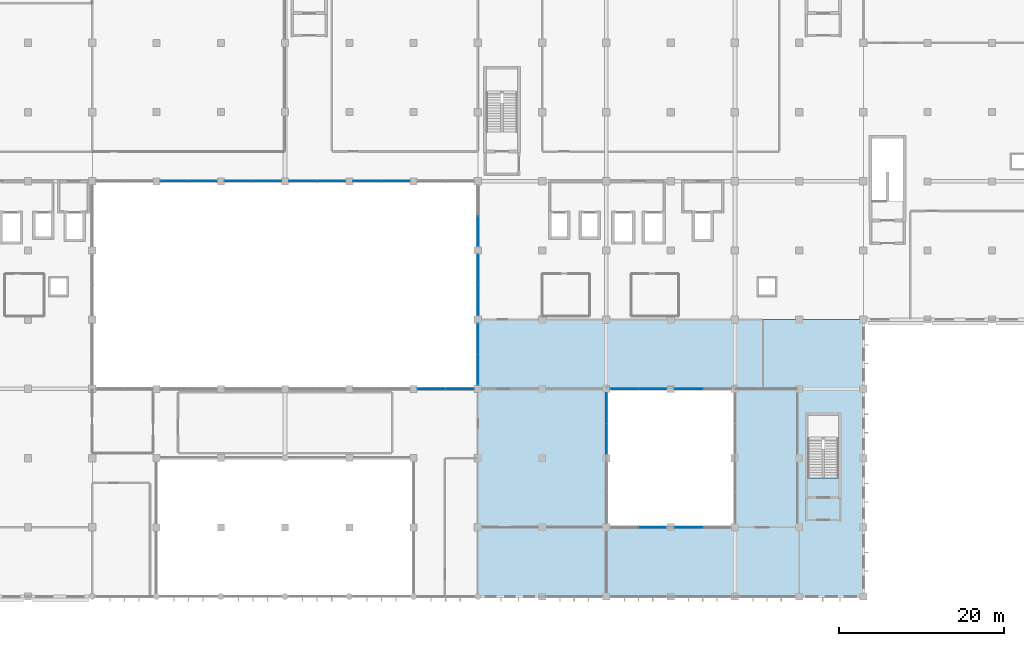
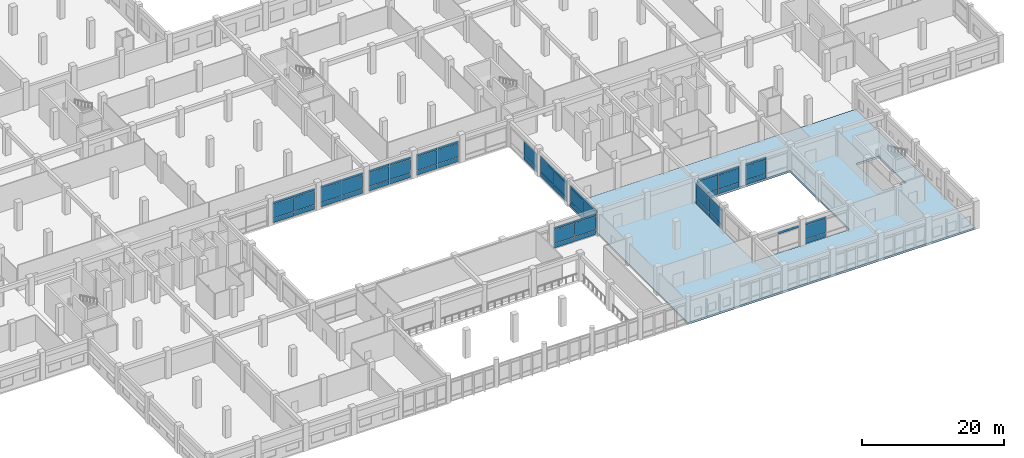
# One storey, part 50 of 79: 63 plates, 1 slab, 13 elements without a shape of their own.
"""IFC4 building model written with IfcOpenShell, lengths in metres."""

import ifcopenshell
import ifcopenshell.guid

model = None  # the IFC model being written
_history = None  # IfcOwnerHistory: only IFC2X3 demands one
_inside = {}  # id of a spatial element -> (the spatial element, [elements in it])
_under = {}  # id of a project, library or spatial element -> (it, [spatial elements below it])
_declared = {}  # id of a project -> (the project, [libraries it declares])
_typed = {}  # id of a type object -> (the type object, [elements of that type])
_made_of = {}  # id of a material, layer set ... -> (it, [elements and type objects made of it])


def new_model(schema):
    """Start an empty IFC model of exactly this schema.

    Asked for "IFC4X3", IfcOpenShell would pick the latest addendum, in which some entities
    have other attributes; the version numbers below select the first issue.
    IFC2X3 requires an IfcOwnerHistory on every rooted entity: one is made here for all.
    """
    global model, _history
    if schema == "IFC4X3":
        model = ifcopenshell.file(schema_version=(4, 3, 0, 0))
    else:
        model = ifcopenshell.file(schema=schema)
    _inside.clear()
    _under.clear()
    _declared.clear()
    _typed.clear()
    _made_of.clear()
    _history = None
    if model.schema == "IFC2X3":
        org = make("IfcOrganization", Name="unknown")
        user = make(
            "IfcPersonAndOrganization",
            ThePerson=make("IfcPerson", FamilyName="unknown"),
            TheOrganization=org,
        )
        app = make(
            "IfcApplication",
            ApplicationDeveloper=org,
            Version="unknown",
            ApplicationFullName="unknown",
            ApplicationIdentifier="unknown",
        )
        _history = make(
            "IfcOwnerHistory",
            OwningUser=user,
            OwningApplication=app,
            ChangeAction="ADDED",
            CreationDate=0,
        )
    return model


def make(cls, **values):
    """One entity of the class cls with the attributes given. An attribute that is None is left unset."""
    return model.create_entity(
        cls, **{name: value for name, value in values.items() if value is not None}
    )


def rooted(cls, **values):
    """An entity with a GlobalId (a new one), such as an element, a storey or a relation."""
    return make(cls, GlobalId=ifcopenshell.guid.new(), OwnerHistory=_history, **values)


def si_unit(unit_type, name, prefix=None):
    """IfcSIUnit, for example si_unit("LENGTHUNIT", "METRE", prefix="MILLI")."""
    return make("IfcSIUnit", UnitType=unit_type, Prefix=prefix, Name=name)


def assignment(units):
    """IfcUnitAssignment: the units of a project."""
    return None if units is None else make("IfcUnitAssignment", Units=units)


def point(xyz):
    """IfcCartesianPoint."""
    return None if xyz is None else make("IfcCartesianPoint", Coordinates=xyz)


def direction(xyz):
    """IfcDirection."""
    return None if xyz is None else make("IfcDirection", DirectionRatios=xyz)


def frame(location, z_axis=None, x_axis=None):
    """IfcAxis2Placement3D, a coordinate frame: its origin and axes. An axis left out is left unset."""
    return make(
        "IfcAxis2Placement3D",
        Location=point(location),
        Axis=direction(z_axis),
        RefDirection=direction(x_axis),
    )


def frame_2d(location, x_axis=None):
    """IfcAxis2Placement2D, a coordinate frame in the plane: its origin and x axis."""
    return make(
        "IfcAxis2Placement2D", Location=point(location), RefDirection=direction(x_axis)
    )


def origin():
    """The frame at (0, 0, 0) with its axes left unset."""
    return frame((0.0, 0.0, 0.0))


def origin_2d():
    """The frame at (0, 0) in the plane with its x axis left unset."""
    return frame_2d((0.0, 0.0))


def place(relative_to, where):
    """IfcLocalPlacement: puts the frame where relative to a parent placement (None: the world)."""
    return make(
        "IfcLocalPlacement", PlacementRelTo=relative_to, RelativePlacement=where
    )


def context(
    kind, dimensions, precision=None, world=None, true_north=None, identifier=None
):
    """IfcGeometricRepresentationContext, for example the 3D "Model" context."""
    return make(
        "IfcGeometricRepresentationContext",
        ContextIdentifier=identifier,
        ContextType=kind,
        CoordinateSpaceDimension=dimensions,
        Precision=precision,
        WorldCoordinateSystem=world,
        TrueNorth=true_north,
    )


def subcontext(parent, identifier, kind, view, scale=None):
    """IfcGeometricRepresentationSubContext, for example "Body" below "Model"."""
    return make(
        "IfcGeometricRepresentationSubContext",
        ContextIdentifier=identifier,
        ContextType=kind,
        ParentContext=parent,
        TargetScale=scale,
        TargetView=view,
    )


def project(units=None, contexts=None):
    """IfcProject with its units and contexts."""
    return rooted(
        "IfcProject",
        Name="project",
        RepresentationContexts=contexts,
        UnitsInContext=assignment(units),
    )


def spatial(cls, under=None, at=None, **own):
    """A site, building, storey or space (cls), placed at a placement, below another one or the project."""
    s = rooted(cls, ObjectPlacement=at, **own)
    if under is not None:
        _under.setdefault(under.id(), (under, []))[1].append(s)
    return s


def polyline(points):
    """IfcPolyline through the points."""
    return make("IfcPolyline", Points=[point(p) for p in points])


def profile(cls, at=None, kind="AREA", **sizes):
    """A parametric profile (cls). Its sizes go by their IFC names, for example OverallWidth=200.0."""
    return make(cls, ProfileType=kind, Position=at, **sizes)


def rectangle(**sizes):
    """IfcRectangleProfileDef."""
    return profile("IfcRectangleProfileDef", **sizes)


def outline(outer, holes=None, kind="AREA"):
    """IfcArbitraryClosedProfileDef: a profile drawn as a closed curve; with holes, ...WithVoids."""
    if holes is None:
        return make("IfcArbitraryClosedProfileDef", ProfileType=kind, OuterCurve=outer)
    return make(
        "IfcArbitraryProfileDefWithVoids",
        ProfileType=kind,
        OuterCurve=outer,
        InnerCurves=holes,
    )


def extrude(swept, where, along, depth):
    """IfcExtrudedAreaSolid: the profile swept, set in the frame where, extruded along a direction by depth."""
    return make(
        "IfcExtrudedAreaSolid",
        SweptArea=swept,
        Position=where,
        ExtrudedDirection=direction(along),
        Depth=depth,
    )


def shape(context_of_items, identifier, shape_type, items):
    """IfcShapeRepresentation: the items that make up one representation, for example the "Body"."""
    return make(
        "IfcShapeRepresentation",
        ContextOfItems=context_of_items,
        RepresentationIdentifier=identifier,
        RepresentationType=shape_type,
        Items=items,
    )


def material(Name=None, Category=None):
    """IfcMaterial."""
    return make("IfcMaterial", Name=Name, Category=Category)


def layer(
    of_material, thickness, ventilated=None, Name=None, Category=None, Priority=None
):
    """IfcMaterialLayer: one layer of a wall or slab, of a material (None: an air gap)."""
    return make(
        "IfcMaterialLayer",
        Material=of_material,
        LayerThickness=thickness,
        IsVentilated=ventilated,
        Name=Name,
        Category=Category,
        Priority=Priority,
    )


def layer_set(layers, Name=None):
    """IfcMaterialLayerSet."""
    return make("IfcMaterialLayerSet", MaterialLayers=layers, LayerSetName=Name)


def made_of(thing, what):
    """Note that an element or type object is made of a material, layer set ...; save() writes the relation."""
    if what is not None:
        _made_of.setdefault(what.id(), (what, []))[1].append(thing)
    return thing


def type_object(cls, material=None, **own):
    """A type object (cls), such as IfcWallType, which elements share."""
    return made_of(rooted(cls, **own), material)


def element(
    cls,
    number,
    at=None,
    inside=None,
    cuts=None,
    type_object=None,
    material=None,
    context=None,
    identifier="Body",
    shape_type=None,
    held_by="IfcProductDefinitionShape",
    body=None,
    shapes=None,
    **own,
):
    """One element of the class cls, such as IfcWall. Its Tag is "e" and its number.

    at: its placement. inside: the storey or other place that contains it. cuts: it is an
    opening in that element (IfcRelVoidsElement). A single representation is given by context,
    identifier, shape_type and body (its items); several are given by shapes. held_by: the class
    of the entity that holds the representations. save() writes the other relations.
    """
    e = rooted(cls, Tag="e%d" % number, ObjectPlacement=at, **own)
    if body is not None:
        shapes = [shape(context, identifier, shape_type, body)]
    if shapes is not None:
        e.Representation = make(held_by, Representations=shapes)
    if inside is not None:
        _inside.setdefault(inside.id(), (inside, []))[1].append(e)
    if cuts is not None:
        rooted(
            "IfcRelVoidsElement", RelatingBuildingElement=cuts, RelatedOpeningElement=e
        )
    if type_object is not None:
        _typed.setdefault(type_object.id(), (type_object, []))[1].append(e)
    return made_of(e, material)


def aggregate(whole, parts):
    """IfcRelAggregates: a whole, such as a stair, and the parts it consists of."""
    return rooted("IfcRelAggregates", RelatingObject=whole, RelatedObjects=parts)


def save(model, path):
    """Write the relations noted so far, then the file.

    IfcRelAggregates (storeys below a building ...), IfcRelContainedInSpatialStructure (elements
    in a storey), IfcRelDefinesByType, IfcRelAssociatesMaterial and IfcRelDeclares: one each for
    every whole, place, type object, material and project.
    """
    for whole, parts in _under.values():
        aggregate(whole, parts)
    for where, things in _inside.values():
        rooted(
            "IfcRelContainedInSpatialStructure",
            RelatedElements=things,
            RelatingStructure=where,
        )
    for kind, things in _typed.values():
        rooted("IfcRelDefinesByType", RelatedObjects=things, RelatingType=kind)
    for what, things in _made_of.values():
        rooted("IfcRelAssociatesMaterial", RelatedObjects=things, RelatingMaterial=what)
    for by, libraries in _declared.values():
        rooted("IfcRelDeclares", RelatingContext=by, RelatedDefinitions=libraries)
    model.write(path)


model = new_model("IFC4")

# Units and contexts
model_context = context("Model", 3, precision=1e-05, world=origin(), true_north=direction((0.0, 1.0)))
body_context = subcontext(model_context, "Body", "Model", "MODEL_VIEW")
ifc_project = project(units=[si_unit("LENGTHUNIT", "METRE"), si_unit("AREAUNIT", "SQUARE_METRE"), si_unit("VOLUMEUNIT", "CUBIC_METRE"), si_unit("PLANEANGLEUNIT", "RADIAN"), si_unit("MASSUNIT", "GRAM", prefix="KILO"), si_unit("THERMODYNAMICTEMPERATUREUNIT", "KELVIN"), si_unit("POWERUNIT", "WATT")], contexts=[model_context])

# Site, building, storey
site_placement = place(None, origin())
site = spatial("IfcSite", under=ifc_project, at=site_placement, CompositionType="ELEMENT")
building_placement = place(site_placement, origin())
building = spatial("IfcBuilding", under=site, at=building_placement, Name="Srebrne Nadtorze General Hospital", CompositionType="ELEMENT")
storey_placement = place(building_placement, frame((0.0, 0.0, 4.800048828125)))
storey = spatial("IfcBuildingStorey", under=building, at=storey_placement, Name="L01", CompositionType="ELEMENT", Elevation=4.800048828125)

# Curtain wall, plate
ifc_material_1 = material(Name="Anodised Aluminium", Category="aluminium")
curtain_wall_type_1 = type_object("IfcCurtainWallType", Name="Unitised curtain wall 6900x3750", PredefinedType="NOTDEFINED", material=ifc_material_1)
curtain_wall_1_placement = place(storey_placement, origin())
curtain_wall_1 = element("IfcCurtainWall", 1, at=curtain_wall_1_placement, inside=storey, type_object=curtain_wall_type_1, Name="Curtain wall CW-040", PredefinedType="NOTDEFINED")
ifc_material_2 = material(Name="Triple Low-E Glazing", Category="glass")
ifc_layer_1 = layer(ifc_material_2, 0.050048828125)
ifc_layer_set_1 = layer_set([ifc_layer_1], Name="Triple Low-E Glazing")
plate_type = type_object("IfcPlateType", Name="Glazed curtain panel 50", PredefinedType="CURTAIN_PANEL", material=ifc_layer_set_1)
plate_1_placement = place(storey_placement, frame((122.610107421875, 8.39990234375, 3.27978515625), z_axis=(0.0, 0.0, 1.0), x_axis=(1.0, 0.0, 0.0)))
plate_1 = element("IfcPlate", 2, at=plate_1_placement, type_object=plate_type, Name="CW-040 panel 2.3", PredefinedType="CURTAIN_PANEL", context=body_context, shape_type="SweptSolid", body=[
    extrude(rectangle(XDim=3.360107421875, YDim=0.050048828125, at=origin_2d()), origin(), (0.0, 0.0, 1.0), 0.409912109375),
])
aggregate(curtain_wall_1, [plate_1])

# Curtain wall, plates
curtain_wall_2_placement = place(storey_placement, origin())
curtain_wall_2 = element("IfcCurtainWall", 3, at=curtain_wall_2_placement, inside=storey, type_object=curtain_wall_type_1, Name="Curtain wall CW-041", PredefinedType="NOTDEFINED")
plate_2_placement = place(storey_placement, frame((126.9912109375, 8.39990234375, 0.06494140625), z_axis=(0.0, 0.0, 1.0), x_axis=(1.0, 0.0, 0.0)))
plate_2 = element("IfcPlate", 4, at=plate_2_placement, type_object=plate_type, Name="CW-041 panel 1.1", PredefinedType="CURTAIN_PANEL", context=body_context, shape_type="SweptSolid", body=[
    extrude(rectangle(XDim=3.3525390625, YDim=0.050048828125, at=origin_2d()), origin(), (0.0, 0.0, 1.0), 0.75244140625),
])
plate_3_placement = place(storey_placement, frame((126.9912109375, 8.39990234375, 0.882568359375), z_axis=(0.0, 0.0, 1.0), x_axis=(1.0, 0.0, 0.0)))
plate_3 = element("IfcPlate", 5, at=plate_3_placement, type_object=plate_type, Name="CW-041 panel 1.2", PredefinedType="CURTAIN_PANEL", context=body_context, shape_type="SweptSolid", body=[
    extrude(rectangle(XDim=3.3525390625, YDim=0.050048828125, at=origin_2d()), origin(), (0.0, 0.0, 1.0), 2.3349609375),
])
plate_4_placement = place(storey_placement, frame((126.9912109375, 8.39990234375, 3.2822265625), z_axis=(0.0, 0.0, 1.0), x_axis=(1.0, 0.0, 0.0)))
plate_4 = element("IfcPlate", 6, at=plate_4_placement, type_object=plate_type, Name="CW-041 panel 1.3", PredefinedType="CURTAIN_PANEL", context=body_context, shape_type="SweptSolid", body=[
    extrude(rectangle(XDim=3.3525390625, YDim=0.050048828125, at=origin_2d()), origin(), (0.0, 0.0, 1.0), 0.402587890625),
])
aggregate(curtain_wall_2, [plate_2, plate_3, plate_4])

ifc_material_3 = material(Name="Anodised Aluminium", Category="aluminium")
curtain_wall_type_2 = type_object("IfcCurtainWallType", Name="Unitised curtain wall 6925x3750", PredefinedType="NOTDEFINED", material=ifc_material_3)
curtain_wall_3_placement = place(storey_placement, origin())
curtain_wall_3 = element("IfcCurtainWall", 7, at=curtain_wall_3_placement, inside=storey, type_object=curtain_wall_type_2, Name="Curtain wall CW-047", PredefinedType="NOTDEFINED")
plate_5_placement = place(storey_placement, frame((95.7724609375, 25.199951171875, 0.06494140625), z_axis=(0.0, 0.0, 1.0), x_axis=(1.0, 0.0, 0.0)))
plate_5 = element("IfcPlate", 8, at=plate_5_placement, type_object=plate_type, Name="CW-047 panel 1.1", PredefinedType="CURTAIN_PANEL", context=body_context, shape_type="SweptSolid", body=[
    extrude(rectangle(XDim=3.364990234375, YDim=0.050048828125, at=origin_2d()), origin(), (0.0, 0.0, 1.0), 0.75244140625),
])
plate_6_placement = place(storey_placement, frame((95.7724609375, 25.199951171875, 0.882568359375), z_axis=(0.0, 0.0, 1.0), x_axis=(1.0, 0.0, 0.0)))
plate_6 = element("IfcPlate", 9, at=plate_6_placement, type_object=plate_type, Name="CW-047 panel 1.2", PredefinedType="CURTAIN_PANEL", context=body_context, shape_type="SweptSolid", body=[
    extrude(rectangle(XDim=3.364990234375, YDim=0.050048828125, at=origin_2d()), origin(), (0.0, 0.0, 1.0), 2.3349609375),
])
plate_7_placement = place(storey_placement, frame((95.7724609375, 25.199951171875, 3.2822265625), z_axis=(0.0, 0.0, 1.0), x_axis=(1.0, 0.0, 0.0)))
plate_7 = element("IfcPlate", 10, at=plate_7_placement, type_object=plate_type, Name="CW-047 panel 1.3", PredefinedType="CURTAIN_PANEL", context=body_context, shape_type="SweptSolid", body=[
    extrude(rectangle(XDim=3.364990234375, YDim=0.050048828125, at=origin_2d()), origin(), (0.0, 0.0, 1.0), 0.402587890625),
])
plate_8_placement = place(storey_placement, frame((99.202392578125, 25.199951171875, 0.06494140625), z_axis=(0.0, 0.0, 1.0), x_axis=(1.0, 0.0, 0.0)))
plate_8 = element("IfcPlate", 11, at=plate_8_placement, type_object=plate_type, Name="CW-047 panel 2.1", PredefinedType="CURTAIN_PANEL", context=body_context, shape_type="SweptSolid", body=[
    extrude(rectangle(XDim=3.364990234375, YDim=0.050048828125, at=origin_2d()), origin(), (0.0, 0.0, 1.0), 0.75244140625),
])
plate_9_placement = place(storey_placement, frame((99.202392578125, 25.199951171875, 0.882568359375), z_axis=(0.0, 0.0, 1.0), x_axis=(1.0, 0.0, 0.0)))
plate_9 = element("IfcPlate", 12, at=plate_9_placement, type_object=plate_type, Name="CW-047 panel 2.2", PredefinedType="CURTAIN_PANEL", context=body_context, shape_type="SweptSolid", body=[
    extrude(rectangle(XDim=3.364990234375, YDim=0.050048828125, at=origin_2d()), origin(), (0.0, 0.0, 1.0), 2.3349609375),
])
plate_10_placement = place(storey_placement, frame((99.202392578125, 25.199951171875, 3.2822265625), z_axis=(0.0, 0.0, 1.0), x_axis=(1.0, 0.0, 0.0)))
plate_10 = element("IfcPlate", 13, at=plate_10_placement, type_object=plate_type, Name="CW-047 panel 2.3", PredefinedType="CURTAIN_PANEL", context=body_context, shape_type="SweptSolid", body=[
    extrude(rectangle(XDim=3.364990234375, YDim=0.050048828125, at=origin_2d()), origin(), (0.0, 0.0, 1.0), 0.402587890625),
])
aggregate(curtain_wall_3, [plate_5, plate_6, plate_7, plate_8, plate_9, plate_10])

curtain_wall_4_placement = place(storey_placement, origin())
curtain_wall_4 = element("IfcCurtainWall", 14, at=curtain_wall_4_placement, inside=storey, type_object=curtain_wall_type_1, Name="Curtain wall CW-048", PredefinedType="NOTDEFINED")
plate_11_placement = place(storey_placement, frame((119.18994140625, 25.199951171875, 0.06005859375), z_axis=(0.0, 0.0, 1.0), x_axis=(1.0, 0.0, 0.0)))
plate_11 = element("IfcPlate", 15, at=plate_11_placement, type_object=plate_type, Name="CW-048 panel 1.1", PredefinedType="CURTAIN_PANEL", context=body_context, shape_type="SweptSolid", body=[
    extrude(rectangle(XDim=3.360107421875, YDim=0.050048828125, at=origin_2d()), origin(), (0.0, 0.0, 1.0), 0.760009765625),
])
plate_12_placement = place(storey_placement, frame((119.18994140625, 25.199951171875, 0.8798828125), z_axis=(0.0, 0.0, 1.0), x_axis=(1.0, 0.0, 0.0)))
plate_12 = element("IfcPlate", 16, at=plate_12_placement, type_object=plate_type, Name="CW-048 panel 1.2", PredefinedType="CURTAIN_PANEL", context=body_context, shape_type="SweptSolid", body=[
    extrude(rectangle(XDim=3.360107421875, YDim=0.050048828125, at=origin_2d()), origin(), (0.0, 0.0, 1.0), 2.340087890625),
])
plate_13_placement = place(storey_placement, frame((119.18994140625, 25.199951171875, 3.27978515625), z_axis=(0.0, 0.0, 1.0), x_axis=(1.0, 0.0, 0.0)))
plate_13 = element("IfcPlate", 17, at=plate_13_placement, type_object=plate_type, Name="CW-048 panel 1.3", PredefinedType="CURTAIN_PANEL", context=body_context, shape_type="SweptSolid", body=[
    extrude(rectangle(XDim=3.360107421875, YDim=0.050048828125, at=origin_2d()), origin(), (0.0, 0.0, 1.0), 0.409912109375),
])
plate_14_placement = place(storey_placement, frame((122.610107421875, 25.199951171875, 0.06005859375), z_axis=(0.0, 0.0, 1.0), x_axis=(1.0, 0.0, 0.0)))
plate_14 = element("IfcPlate", 18, at=plate_14_placement, type_object=plate_type, Name="CW-048 panel 2.1", PredefinedType="CURTAIN_PANEL", context=body_context, shape_type="SweptSolid", body=[
    extrude(rectangle(XDim=3.360107421875, YDim=0.050048828125, at=origin_2d()), origin(), (0.0, 0.0, 1.0), 0.760009765625),
])
plate_15_placement = place(storey_placement, frame((122.610107421875, 25.199951171875, 0.8798828125), z_axis=(0.0, 0.0, 1.0), x_axis=(1.0, 0.0, 0.0)))
plate_15 = element("IfcPlate", 19, at=plate_15_placement, type_object=plate_type, Name="CW-048 panel 2.2", PredefinedType="CURTAIN_PANEL", context=body_context, shape_type="SweptSolid", body=[
    extrude(rectangle(XDim=3.360107421875, YDim=0.050048828125, at=origin_2d()), origin(), (0.0, 0.0, 1.0), 2.340087890625),
])
plate_16_placement = place(storey_placement, frame((122.610107421875, 25.199951171875, 3.27978515625), z_axis=(0.0, 0.0, 1.0), x_axis=(1.0, 0.0, 0.0)))
plate_16 = element("IfcPlate", 20, at=plate_16_placement, type_object=plate_type, Name="CW-048 panel 2.3", PredefinedType="CURTAIN_PANEL", context=body_context, shape_type="SweptSolid", body=[
    extrude(rectangle(XDim=3.360107421875, YDim=0.050048828125, at=origin_2d()), origin(), (0.0, 0.0, 1.0), 0.409912109375),
])
aggregate(curtain_wall_4, [plate_11, plate_12, plate_13, plate_14, plate_15, plate_16])

curtain_wall_5_placement = place(storey_placement, origin())
curtain_wall_5 = element("IfcCurtainWall", 21, at=curtain_wall_5_placement, inside=storey, type_object=curtain_wall_type_1, Name="Curtain wall CW-049", PredefinedType="NOTDEFINED")
plate_17_placement = place(storey_placement, frame((126.9912109375, 25.199951171875, 0.06494140625), z_axis=(0.0, 0.0, 1.0), x_axis=(1.0, 0.0, 0.0)))
plate_17 = element("IfcPlate", 22, at=plate_17_placement, type_object=plate_type, Name="CW-049 panel 1.1", PredefinedType="CURTAIN_PANEL", context=body_context, shape_type="SweptSolid", body=[
    extrude(rectangle(XDim=3.3525390625, YDim=0.050048828125, at=origin_2d()), origin(), (0.0, 0.0, 1.0), 0.75244140625),
])
plate_18_placement = place(storey_placement, frame((126.9912109375, 25.199951171875, 0.882568359375), z_axis=(0.0, 0.0, 1.0), x_axis=(1.0, 0.0, 0.0)))
plate_18 = element("IfcPlate", 23, at=plate_18_placement, type_object=plate_type, Name="CW-049 panel 1.2", PredefinedType="CURTAIN_PANEL", context=body_context, shape_type="SweptSolid", body=[
    extrude(rectangle(XDim=3.3525390625, YDim=0.050048828125, at=origin_2d()), origin(), (0.0, 0.0, 1.0), 2.3349609375),
])
plate_19_placement = place(storey_placement, frame((126.9912109375, 25.199951171875, 3.2822265625), z_axis=(0.0, 0.0, 1.0), x_axis=(1.0, 0.0, 0.0)))
plate_19 = element("IfcPlate", 24, at=plate_19_placement, type_object=plate_type, Name="CW-049 panel 1.3", PredefinedType="CURTAIN_PANEL", context=body_context, shape_type="SweptSolid", body=[
    extrude(rectangle(XDim=3.3525390625, YDim=0.050048828125, at=origin_2d()), origin(), (0.0, 0.0, 1.0), 0.402587890625),
])
aggregate(curtain_wall_5, [plate_17, plate_18, plate_19])

ifc_material_4 = material(Name="Anodised Aluminium", Category="aluminium")
curtain_wall_type_3 = type_object("IfcCurtainWallType", Name="Unitised curtain wall 6950x3750", PredefinedType="NOTDEFINED", material=ifc_material_4)
curtain_wall_6_placement = place(storey_placement, origin())
curtain_wall_6 = element("IfcCurtainWall", 25, at=curtain_wall_6_placement, inside=storey, type_object=curtain_wall_type_3, Name="Curtain wall CW-051", PredefinedType="NOTDEFINED")
plate_20_placement = place(storey_placement, frame((64.578857421875, 50.39990234375, 0.06494140625), z_axis=(0.0, 0.0, 1.0), x_axis=(1.0, 0.0, 0.0)))
plate_20 = element("IfcPlate", 26, at=plate_20_placement, type_object=plate_type, Name="CW-051 panel 1.1", PredefinedType="CURTAIN_PANEL", context=body_context, shape_type="SweptSolid", body=[
    extrude(rectangle(XDim=3.37744140625, YDim=0.050048828125, at=origin_2d()), origin(), (0.0, 0.0, 1.0), 0.75244140625),
])
plate_21_placement = place(storey_placement, frame((64.578857421875, 50.39990234375, 0.882568359375), z_axis=(0.0, 0.0, 1.0), x_axis=(1.0, 0.0, 0.0)))
plate_21 = element("IfcPlate", 27, at=plate_21_placement, type_object=plate_type, Name="CW-051 panel 1.2", PredefinedType="CURTAIN_PANEL", context=body_context, shape_type="SweptSolid", body=[
    extrude(rectangle(XDim=3.37744140625, YDim=0.050048828125, at=origin_2d()), origin(), (0.0, 0.0, 1.0), 2.3349609375),
])
plate_22_placement = place(storey_placement, frame((64.578857421875, 50.39990234375, 3.2822265625), z_axis=(0.0, 0.0, 1.0), x_axis=(1.0, 0.0, 0.0)))
plate_22 = element("IfcPlate", 28, at=plate_22_placement, type_object=plate_type, Name="CW-051 panel 1.3", PredefinedType="CURTAIN_PANEL", context=body_context, shape_type="SweptSolid", body=[
    extrude(rectangle(XDim=3.37744140625, YDim=0.050048828125, at=origin_2d()), origin(), (0.0, 0.0, 1.0), 0.402587890625),
])
plate_23_placement = place(storey_placement, frame((68.021240234375, 50.39990234375, 0.06494140625), z_axis=(0.0, 0.0, 1.0), x_axis=(1.0, 0.0, 0.0)))
plate_23 = element("IfcPlate", 29, at=plate_23_placement, type_object=plate_type, Name="CW-051 panel 2.1", PredefinedType="CURTAIN_PANEL", context=body_context, shape_type="SweptSolid", body=[
    extrude(rectangle(XDim=3.37744140625, YDim=0.050048828125, at=origin_2d()), origin(), (0.0, 0.0, 1.0), 0.75244140625),
])
plate_24_placement = place(storey_placement, frame((68.021240234375, 50.39990234375, 0.882568359375), z_axis=(0.0, 0.0, 1.0), x_axis=(1.0, 0.0, 0.0)))
plate_24 = element("IfcPlate", 30, at=plate_24_placement, type_object=plate_type, Name="CW-051 panel 2.2", PredefinedType="CURTAIN_PANEL", context=body_context, shape_type="SweptSolid", body=[
    extrude(rectangle(XDim=3.37744140625, YDim=0.050048828125, at=origin_2d()), origin(), (0.0, 0.0, 1.0), 2.3349609375),
])
plate_25_placement = place(storey_placement, frame((68.021240234375, 50.39990234375, 3.2822265625), z_axis=(0.0, 0.0, 1.0), x_axis=(1.0, 0.0, 0.0)))
plate_25 = element("IfcPlate", 31, at=plate_25_placement, type_object=plate_type, Name="CW-051 panel 2.3", PredefinedType="CURTAIN_PANEL", context=body_context, shape_type="SweptSolid", body=[
    extrude(rectangle(XDim=3.37744140625, YDim=0.050048828125, at=origin_2d()), origin(), (0.0, 0.0, 1.0), 0.402587890625),
])
aggregate(curtain_wall_6, [plate_20, plate_21, plate_22, plate_23, plate_24, plate_25])

curtain_wall_7_placement = place(storey_placement, origin())
curtain_wall_7 = element("IfcCurtainWall", 32, at=curtain_wall_7_placement, inside=storey, type_object=curtain_wall_type_3, Name="Curtain wall CW-052", PredefinedType="NOTDEFINED")
plate_26_placement = place(storey_placement, frame((72.37744140625, 50.39990234375, 0.06005859375), z_axis=(0.0, 0.0, 1.0), x_axis=(1.0, 0.0, 0.0)))
plate_26 = element("IfcPlate", 33, at=plate_26_placement, type_object=plate_type, Name="CW-052 panel 1.1", PredefinedType="CURTAIN_PANEL", context=body_context, shape_type="SweptSolid", body=[
    extrude(rectangle(XDim=3.385009765625, YDim=0.050048828125, at=origin_2d()), origin(), (0.0, 0.0, 1.0), 0.760009765625),
])
plate_27_placement = place(storey_placement, frame((72.37744140625, 50.39990234375, 0.8798828125), z_axis=(0.0, 0.0, 1.0), x_axis=(1.0, 0.0, 0.0)))
plate_27 = element("IfcPlate", 34, at=plate_27_placement, type_object=plate_type, Name="CW-052 panel 1.2", PredefinedType="CURTAIN_PANEL", context=body_context, shape_type="SweptSolid", body=[
    extrude(rectangle(XDim=3.385009765625, YDim=0.050048828125, at=origin_2d()), origin(), (0.0, 0.0, 1.0), 2.340087890625),
])
plate_28_placement = place(storey_placement, frame((72.37744140625, 50.39990234375, 3.27978515625), z_axis=(0.0, 0.0, 1.0), x_axis=(1.0, 0.0, 0.0)))
plate_28 = element("IfcPlate", 35, at=plate_28_placement, type_object=plate_type, Name="CW-052 panel 1.3", PredefinedType="CURTAIN_PANEL", context=body_context, shape_type="SweptSolid", body=[
    extrude(rectangle(XDim=3.385009765625, YDim=0.050048828125, at=origin_2d()), origin(), (0.0, 0.0, 1.0), 0.409912109375),
])
plate_29_placement = place(storey_placement, frame((75.822509765625, 50.39990234375, 0.06005859375), z_axis=(0.0, 0.0, 1.0), x_axis=(1.0, 0.0, 0.0)))
plate_29 = element("IfcPlate", 36, at=plate_29_placement, type_object=plate_type, Name="CW-052 panel 2.1", PredefinedType="CURTAIN_PANEL", context=body_context, shape_type="SweptSolid", body=[
    extrude(rectangle(XDim=3.385009765625, YDim=0.050048828125, at=origin_2d()), origin(), (0.0, 0.0, 1.0), 0.760009765625),
])
plate_30_placement = place(storey_placement, frame((75.822509765625, 50.39990234375, 0.8798828125), z_axis=(0.0, 0.0, 1.0), x_axis=(1.0, 0.0, 0.0)))
plate_30 = element("IfcPlate", 37, at=plate_30_placement, type_object=plate_type, Name="CW-052 panel 2.2", PredefinedType="CURTAIN_PANEL", context=body_context, shape_type="SweptSolid", body=[
    extrude(rectangle(XDim=3.385009765625, YDim=0.050048828125, at=origin_2d()), origin(), (0.0, 0.0, 1.0), 2.340087890625),
])
plate_31_placement = place(storey_placement, frame((75.822509765625, 50.39990234375, 3.27978515625), z_axis=(0.0, 0.0, 1.0), x_axis=(1.0, 0.0, 0.0)))
plate_31 = element("IfcPlate", 38, at=plate_31_placement, type_object=plate_type, Name="CW-052 panel 2.3", PredefinedType="CURTAIN_PANEL", context=body_context, shape_type="SweptSolid", body=[
    extrude(rectangle(XDim=3.385009765625, YDim=0.050048828125, at=origin_2d()), origin(), (0.0, 0.0, 1.0), 0.409912109375),
])
aggregate(curtain_wall_7, [plate_26, plate_27, plate_28, plate_29, plate_30, plate_31])

curtain_wall_8_placement = place(storey_placement, origin())
curtain_wall_8 = element("IfcCurtainWall", 39, at=curtain_wall_8_placement, inside=storey, type_object=curtain_wall_type_3, Name="Curtain wall CW-053", PredefinedType="NOTDEFINED")
plate_32_placement = place(storey_placement, frame((80.1787109375, 50.39990234375, 0.06494140625), z_axis=(0.0, 0.0, 1.0), x_axis=(1.0, 0.0, 0.0)))
plate_32 = element("IfcPlate", 40, at=plate_32_placement, type_object=plate_type, Name="CW-053 panel 1.1", PredefinedType="CURTAIN_PANEL", context=body_context, shape_type="SweptSolid", body=[
    extrude(rectangle(XDim=3.37744140625, YDim=0.050048828125, at=origin_2d()), origin(), (0.0, 0.0, 1.0), 0.75244140625),
])
plate_33_placement = place(storey_placement, frame((80.1787109375, 50.39990234375, 0.882568359375), z_axis=(0.0, 0.0, 1.0), x_axis=(1.0, 0.0, 0.0)))
plate_33 = element("IfcPlate", 41, at=plate_33_placement, type_object=plate_type, Name="CW-053 panel 1.2", PredefinedType="CURTAIN_PANEL", context=body_context, shape_type="SweptSolid", body=[
    extrude(rectangle(XDim=3.37744140625, YDim=0.050048828125, at=origin_2d()), origin(), (0.0, 0.0, 1.0), 2.3349609375),
])
plate_34_placement = place(storey_placement, frame((80.1787109375, 50.39990234375, 3.2822265625), z_axis=(0.0, 0.0, 1.0), x_axis=(1.0, 0.0, 0.0)))
plate_34 = element("IfcPlate", 42, at=plate_34_placement, type_object=plate_type, Name="CW-053 panel 1.3", PredefinedType="CURTAIN_PANEL", context=body_context, shape_type="SweptSolid", body=[
    extrude(rectangle(XDim=3.37744140625, YDim=0.050048828125, at=origin_2d()), origin(), (0.0, 0.0, 1.0), 0.402587890625),
])
plate_35_placement = place(storey_placement, frame((83.621337890625, 50.39990234375, 0.06494140625), z_axis=(0.0, 0.0, 1.0), x_axis=(1.0, 0.0, 0.0)))
plate_35 = element("IfcPlate", 43, at=plate_35_placement, type_object=plate_type, Name="CW-053 panel 2.1", PredefinedType="CURTAIN_PANEL", context=body_context, shape_type="SweptSolid", body=[
    extrude(rectangle(XDim=3.37744140625, YDim=0.050048828125, at=origin_2d()), origin(), (0.0, 0.0, 1.0), 0.75244140625),
])
plate_36_placement = place(storey_placement, frame((83.621337890625, 50.39990234375, 0.882568359375), z_axis=(0.0, 0.0, 1.0), x_axis=(1.0, 0.0, 0.0)))
plate_36 = element("IfcPlate", 44, at=plate_36_placement, type_object=plate_type, Name="CW-053 panel 2.2", PredefinedType="CURTAIN_PANEL", context=body_context, shape_type="SweptSolid", body=[
    extrude(rectangle(XDim=3.37744140625, YDim=0.050048828125, at=origin_2d()), origin(), (0.0, 0.0, 1.0), 2.3349609375),
])
plate_37_placement = place(storey_placement, frame((83.621337890625, 50.39990234375, 3.2822265625), z_axis=(0.0, 0.0, 1.0), x_axis=(1.0, 0.0, 0.0)))
plate_37 = element("IfcPlate", 45, at=plate_37_placement, type_object=plate_type, Name="CW-053 panel 2.3", PredefinedType="CURTAIN_PANEL", context=body_context, shape_type="SweptSolid", body=[
    extrude(rectangle(XDim=3.37744140625, YDim=0.050048828125, at=origin_2d()), origin(), (0.0, 0.0, 1.0), 0.402587890625),
])
aggregate(curtain_wall_8, [plate_32, plate_33, plate_34, plate_35, plate_36, plate_37])

curtain_wall_9_placement = place(storey_placement, origin())
curtain_wall_9 = element("IfcCurtainWall", 46, at=curtain_wall_9_placement, inside=storey, type_object=curtain_wall_type_3, Name="Curtain wall CW-054", PredefinedType="NOTDEFINED")
plate_38_placement = place(storey_placement, frame((87.9775390625, 50.39990234375, 0.06005859375), z_axis=(0.0, 0.0, 1.0), x_axis=(1.0, 0.0, 0.0)))
plate_38 = element("IfcPlate", 47, at=plate_38_placement, type_object=plate_type, Name="CW-054 panel 1.1", PredefinedType="CURTAIN_PANEL", context=body_context, shape_type="SweptSolid", body=[
    extrude(rectangle(XDim=3.385009765625, YDim=0.050048828125, at=origin_2d()), origin(), (0.0, 0.0, 1.0), 0.760009765625),
])
plate_39_placement = place(storey_placement, frame((87.9775390625, 50.39990234375, 0.8798828125), z_axis=(0.0, 0.0, 1.0), x_axis=(1.0, 0.0, 0.0)))
plate_39 = element("IfcPlate", 48, at=plate_39_placement, type_object=plate_type, Name="CW-054 panel 1.2", PredefinedType="CURTAIN_PANEL", context=body_context, shape_type="SweptSolid", body=[
    extrude(rectangle(XDim=3.385009765625, YDim=0.050048828125, at=origin_2d()), origin(), (0.0, 0.0, 1.0), 2.340087890625),
])
plate_40_placement = place(storey_placement, frame((87.9775390625, 50.39990234375, 3.27978515625), z_axis=(0.0, 0.0, 1.0), x_axis=(1.0, 0.0, 0.0)))
plate_40 = element("IfcPlate", 49, at=plate_40_placement, type_object=plate_type, Name="CW-054 panel 1.3", PredefinedType="CURTAIN_PANEL", context=body_context, shape_type="SweptSolid", body=[
    extrude(rectangle(XDim=3.385009765625, YDim=0.050048828125, at=origin_2d()), origin(), (0.0, 0.0, 1.0), 0.409912109375),
])
plate_41_placement = place(storey_placement, frame((91.422607421875, 50.39990234375, 0.06005859375), z_axis=(0.0, 0.0, 1.0), x_axis=(1.0, 0.0, 0.0)))
plate_41 = element("IfcPlate", 50, at=plate_41_placement, type_object=plate_type, Name="CW-054 panel 2.1", PredefinedType="CURTAIN_PANEL", context=body_context, shape_type="SweptSolid", body=[
    extrude(rectangle(XDim=3.385009765625, YDim=0.050048828125, at=origin_2d()), origin(), (0.0, 0.0, 1.0), 0.760009765625),
])
plate_42_placement = place(storey_placement, frame((91.422607421875, 50.39990234375, 0.8798828125), z_axis=(0.0, 0.0, 1.0), x_axis=(1.0, 0.0, 0.0)))
plate_42 = element("IfcPlate", 51, at=plate_42_placement, type_object=plate_type, Name="CW-054 panel 2.2", PredefinedType="CURTAIN_PANEL", context=body_context, shape_type="SweptSolid", body=[
    extrude(rectangle(XDim=3.385009765625, YDim=0.050048828125, at=origin_2d()), origin(), (0.0, 0.0, 1.0), 2.340087890625),
])
plate_43_placement = place(storey_placement, frame((91.422607421875, 50.39990234375, 3.27978515625), z_axis=(0.0, 0.0, 1.0), x_axis=(1.0, 0.0, 0.0)))
plate_43 = element("IfcPlate", 52, at=plate_43_placement, type_object=plate_type, Name="CW-054 panel 2.3", PredefinedType="CURTAIN_PANEL", context=body_context, shape_type="SweptSolid", body=[
    extrude(rectangle(XDim=3.385009765625, YDim=0.050048828125, at=origin_2d()), origin(), (0.0, 0.0, 1.0), 0.409912109375),
])
aggregate(curtain_wall_9, [plate_38, plate_39, plate_40, plate_41, plate_42, plate_43])

ifc_material_5 = material(Name="Anodised Aluminium", Category="aluminium")
curtain_wall_type_4 = type_object("IfcCurtainWallType", Name="Unitised curtain wall 7500x3750", PredefinedType="NOTDEFINED", material=ifc_material_5)
curtain_wall_10_placement = place(storey_placement, origin())
curtain_wall_10 = element("IfcCurtainWall", 53, at=curtain_wall_10_placement, inside=storey, type_object=curtain_wall_type_4, Name="Curtain wall CW-059", PredefinedType="NOTDEFINED")
plate_44_placement = place(storey_placement, frame((101.39990234375, 27.541259765625, 0.06494140625), z_axis=(0.0, 0.0, 1.0), x_axis=(0.0, 1.0, 0.0)))
plate_44 = element("IfcPlate", 54, at=plate_44_placement, type_object=plate_type, Name="CW-059 panel 1.1", PredefinedType="CURTAIN_PANEL", context=body_context, shape_type="SweptSolid", body=[
    extrude(rectangle(XDim=3.652587890625, YDim=0.050048828125, at=origin_2d()), origin(), (0.0, 0.0, 1.0), 0.75244140625),
])
plate_45_placement = place(storey_placement, frame((101.39990234375, 27.541259765625, 0.882568359375), z_axis=(0.0, 0.0, 1.0), x_axis=(0.0, 1.0, 0.0)))
plate_45 = element("IfcPlate", 55, at=plate_45_placement, type_object=plate_type, Name="CW-059 panel 1.2", PredefinedType="CURTAIN_PANEL", context=body_context, shape_type="SweptSolid", body=[
    extrude(rectangle(XDim=3.652587890625, YDim=0.050048828125, at=origin_2d()), origin(), (0.0, 0.0, 1.0), 2.3349609375),
])
plate_46_placement = place(storey_placement, frame((101.39990234375, 27.541259765625, 3.2822265625), z_axis=(0.0, 0.0, 1.0), x_axis=(0.0, 1.0, 0.0)))
plate_46 = element("IfcPlate", 56, at=plate_46_placement, type_object=plate_type, Name="CW-059 panel 1.3", PredefinedType="CURTAIN_PANEL", context=body_context, shape_type="SweptSolid", body=[
    extrude(rectangle(XDim=3.652587890625, YDim=0.050048828125, at=origin_2d()), origin(), (0.0, 0.0, 1.0), 0.402587890625),
])
plate_47_placement = place(storey_placement, frame((101.39990234375, 31.2587890625, 0.06494140625), z_axis=(0.0, 0.0, 1.0), x_axis=(0.0, 1.0, 0.0)))
plate_47 = element("IfcPlate", 57, at=plate_47_placement, type_object=plate_type, Name="CW-059 panel 2.1", PredefinedType="CURTAIN_PANEL", context=body_context, shape_type="SweptSolid", body=[
    extrude(rectangle(XDim=3.652587890625, YDim=0.050048828125, at=origin_2d()), origin(), (0.0, 0.0, 1.0), 0.75244140625),
])
plate_48_placement = place(storey_placement, frame((101.39990234375, 31.2587890625, 0.882568359375), z_axis=(0.0, 0.0, 1.0), x_axis=(0.0, 1.0, 0.0)))
plate_48 = element("IfcPlate", 58, at=plate_48_placement, type_object=plate_type, Name="CW-059 panel 2.2", PredefinedType="CURTAIN_PANEL", context=body_context, shape_type="SweptSolid", body=[
    extrude(rectangle(XDim=3.652587890625, YDim=0.050048828125, at=origin_2d()), origin(), (0.0, 0.0, 1.0), 2.3349609375),
])
plate_49_placement = place(storey_placement, frame((101.39990234375, 31.2587890625, 3.2822265625), z_axis=(0.0, 0.0, 1.0), x_axis=(0.0, 1.0, 0.0)))
plate_49 = element("IfcPlate", 59, at=plate_49_placement, type_object=plate_type, Name="CW-059 panel 2.3", PredefinedType="CURTAIN_PANEL", context=body_context, shape_type="SweptSolid", body=[
    extrude(rectangle(XDim=3.652587890625, YDim=0.050048828125, at=origin_2d()), origin(), (0.0, 0.0, 1.0), 0.402587890625),
])
aggregate(curtain_wall_10, [plate_44, plate_45, plate_46, plate_47, plate_48, plate_49])

curtain_wall_11_placement = place(storey_placement, origin())
curtain_wall_11 = element("IfcCurtainWall", 60, at=curtain_wall_11_placement, inside=storey, type_object=curtain_wall_type_4, Name="Curtain wall CW-060", PredefinedType="NOTDEFINED")
plate_50_placement = place(storey_placement, frame((101.39990234375, 35.93994140625, 0.06005859375), z_axis=(0.0, 0.0, 1.0), x_axis=(0.0, 1.0, 0.0)))
plate_50 = element("IfcPlate", 61, at=plate_50_placement, type_object=plate_type, Name="CW-060 panel 1.1", PredefinedType="CURTAIN_PANEL", context=body_context, shape_type="SweptSolid", body=[
    extrude(rectangle(XDim=3.659912109375, YDim=0.050048828125, at=origin_2d()), origin(), (0.0, 0.0, 1.0), 0.760009765625),
])
plate_51_placement = place(storey_placement, frame((101.39990234375, 35.93994140625, 0.8798828125), z_axis=(0.0, 0.0, 1.0), x_axis=(0.0, 1.0, 0.0)))
plate_51 = element("IfcPlate", 62, at=plate_51_placement, type_object=plate_type, Name="CW-060 panel 1.2", PredefinedType="CURTAIN_PANEL", context=body_context, shape_type="SweptSolid", body=[
    extrude(rectangle(XDim=3.659912109375, YDim=0.050048828125, at=origin_2d()), origin(), (0.0, 0.0, 1.0), 2.340087890625),
])
plate_52_placement = place(storey_placement, frame((101.39990234375, 35.93994140625, 3.27978515625), z_axis=(0.0, 0.0, 1.0), x_axis=(0.0, 1.0, 0.0)))
plate_52 = element("IfcPlate", 63, at=plate_52_placement, type_object=plate_type, Name="CW-060 panel 1.3", PredefinedType="CURTAIN_PANEL", context=body_context, shape_type="SweptSolid", body=[
    extrude(rectangle(XDim=3.659912109375, YDim=0.050048828125, at=origin_2d()), origin(), (0.0, 0.0, 1.0), 0.409912109375),
])
plate_53_placement = place(storey_placement, frame((101.39990234375, 39.659912109375, 0.06005859375), z_axis=(0.0, 0.0, 1.0), x_axis=(0.0, 1.0, 0.0)))
plate_53 = element("IfcPlate", 64, at=plate_53_placement, type_object=plate_type, Name="CW-060 panel 2.1", PredefinedType="CURTAIN_PANEL", context=body_context, shape_type="SweptSolid", body=[
    extrude(rectangle(XDim=3.659912109375, YDim=0.050048828125, at=origin_2d()), origin(), (0.0, 0.0, 1.0), 0.760009765625),
])
plate_54_placement = place(storey_placement, frame((101.39990234375, 39.659912109375, 0.8798828125), z_axis=(0.0, 0.0, 1.0), x_axis=(0.0, 1.0, 0.0)))
plate_54 = element("IfcPlate", 65, at=plate_54_placement, type_object=plate_type, Name="CW-060 panel 2.2", PredefinedType="CURTAIN_PANEL", context=body_context, shape_type="SweptSolid", body=[
    extrude(rectangle(XDim=3.659912109375, YDim=0.050048828125, at=origin_2d()), origin(), (0.0, 0.0, 1.0), 2.340087890625),
])
plate_55_placement = place(storey_placement, frame((101.39990234375, 39.659912109375, 3.27978515625), z_axis=(0.0, 0.0, 1.0), x_axis=(0.0, 1.0, 0.0)))
plate_55 = element("IfcPlate", 66, at=plate_55_placement, type_object=plate_type, Name="CW-060 panel 2.3", PredefinedType="CURTAIN_PANEL", context=body_context, shape_type="SweptSolid", body=[
    extrude(rectangle(XDim=3.659912109375, YDim=0.050048828125, at=origin_2d()), origin(), (0.0, 0.0, 1.0), 0.409912109375),
])
aggregate(curtain_wall_11, [plate_50, plate_51, plate_52, plate_53, plate_54, plate_55])

curtain_wall_12_placement = place(storey_placement, origin())
curtain_wall_12 = element("IfcCurtainWall", 67, at=curtain_wall_12_placement, inside=storey, type_object=curtain_wall_type_4, Name="Curtain wall CW-061", PredefinedType="NOTDEFINED")
plate_56_placement = place(storey_placement, frame((101.39990234375, 44.34130859375, 0.06494140625), z_axis=(0.0, 0.0, 1.0), x_axis=(0.0, 1.0, 0.0)))
plate_56 = element("IfcPlate", 68, at=plate_56_placement, type_object=plate_type, Name="CW-061 panel 1.1", PredefinedType="CURTAIN_PANEL", context=body_context, shape_type="SweptSolid", body=[
    extrude(rectangle(XDim=3.652587890625, YDim=0.050048828125, at=origin_2d()), origin(), (0.0, 0.0, 1.0), 0.75244140625),
])
plate_57_placement = place(storey_placement, frame((101.39990234375, 44.34130859375, 0.882568359375), z_axis=(0.0, 0.0, 1.0), x_axis=(0.0, 1.0, 0.0)))
plate_57 = element("IfcPlate", 69, at=plate_57_placement, type_object=plate_type, Name="CW-061 panel 1.2", PredefinedType="CURTAIN_PANEL", context=body_context, shape_type="SweptSolid", body=[
    extrude(rectangle(XDim=3.652587890625, YDim=0.050048828125, at=origin_2d()), origin(), (0.0, 0.0, 1.0), 2.3349609375),
])
aggregate(curtain_wall_12, [plate_56, plate_57])

curtain_wall_13_placement = place(storey_placement, origin())
curtain_wall_13 = element("IfcCurtainWall", 70, at=curtain_wall_13_placement, inside=storey, type_object=curtain_wall_type_4, Name="Curtain wall CW-063", PredefinedType="NOTDEFINED")
plate_58_placement = place(storey_placement, frame((117.0, 19.141357421875, 0.06494140625), z_axis=(0.0, 0.0, 1.0), x_axis=(0.0, 1.0, 0.0)))
plate_58 = element("IfcPlate", 71, at=plate_58_placement, type_object=plate_type, Name="CW-063 panel 1.1", PredefinedType="CURTAIN_PANEL", context=body_context, shape_type="SweptSolid", body=[
    extrude(rectangle(XDim=3.652587890625, YDim=0.050048828125, at=origin_2d()), origin(), (0.0, 0.0, 1.0), 0.75244140625),
])
plate_59_placement = place(storey_placement, frame((117.0, 19.141357421875, 0.882568359375), z_axis=(0.0, 0.0, 1.0), x_axis=(0.0, 1.0, 0.0)))
plate_59 = element("IfcPlate", 72, at=plate_59_placement, type_object=plate_type, Name="CW-063 panel 1.2", PredefinedType="CURTAIN_PANEL", context=body_context, shape_type="SweptSolid", body=[
    extrude(rectangle(XDim=3.652587890625, YDim=0.050048828125, at=origin_2d()), origin(), (0.0, 0.0, 1.0), 2.3349609375),
])
plate_60_placement = place(storey_placement, frame((117.0, 19.141357421875, 3.2822265625), z_axis=(0.0, 0.0, 1.0), x_axis=(0.0, 1.0, 0.0)))
plate_60 = element("IfcPlate", 73, at=plate_60_placement, type_object=plate_type, Name="CW-063 panel 1.3", PredefinedType="CURTAIN_PANEL", context=body_context, shape_type="SweptSolid", body=[
    extrude(rectangle(XDim=3.652587890625, YDim=0.050048828125, at=origin_2d()), origin(), (0.0, 0.0, 1.0), 0.402587890625),
])
plate_61_placement = place(storey_placement, frame((117.0, 22.858642578125, 0.06494140625), z_axis=(0.0, 0.0, 1.0), x_axis=(0.0, 1.0, 0.0)))
plate_61 = element("IfcPlate", 74, at=plate_61_placement, type_object=plate_type, Name="CW-063 panel 2.1", PredefinedType="CURTAIN_PANEL", context=body_context, shape_type="SweptSolid", body=[
    extrude(rectangle(XDim=3.652587890625, YDim=0.050048828125, at=origin_2d()), origin(), (0.0, 0.0, 1.0), 0.75244140625),
])
plate_62_placement = place(storey_placement, frame((117.0, 22.858642578125, 0.882568359375), z_axis=(0.0, 0.0, 1.0), x_axis=(0.0, 1.0, 0.0)))
plate_62 = element("IfcPlate", 75, at=plate_62_placement, type_object=plate_type, Name="CW-063 panel 2.2", PredefinedType="CURTAIN_PANEL", context=body_context, shape_type="SweptSolid", body=[
    extrude(rectangle(XDim=3.652587890625, YDim=0.050048828125, at=origin_2d()), origin(), (0.0, 0.0, 1.0), 2.3349609375),
])
plate_63_placement = place(storey_placement, frame((117.0, 22.858642578125, 3.2822265625), z_axis=(0.0, 0.0, 1.0), x_axis=(0.0, 1.0, 0.0)))
plate_63 = element("IfcPlate", 76, at=plate_63_placement, type_object=plate_type, Name="CW-063 panel 2.3", PredefinedType="CURTAIN_PANEL", context=body_context, shape_type="SweptSolid", body=[
    extrude(rectangle(XDim=3.652587890625, YDim=0.050048828125, at=origin_2d()), origin(), (0.0, 0.0, 1.0), 0.402587890625),
])
aggregate(curtain_wall_13, [plate_58, plate_59, plate_60, plate_61, plate_62, plate_63])

# Slab
ifc_material_6 = material(Name="Concrete C35/45", Category="concrete")
ifc_layer_2 = layer(ifc_material_6, 0.330078125)
ifc_layer_set_2 = layer_set([ifc_layer_2], Name="Concrete C35/45")
slab_type = type_object("IfcSlabType", Name="Suspended floor slab 330", PredefinedType="FLOOR", material=ifc_layer_set_2)
slab_placement = place(storey_placement, frame((0.0, 0.0, -0.330078125)))
element("IfcSlab", 77, at=slab_placement, inside=storey, type_object=slab_type, Name="Suspended floor slab SL-L01-CLN", PredefinedType="FLOOR", context=body_context, shape_type="SweptSolid", body=[
    extrude(outline(polyline([(101.39990234375, 33.60009765625), (101.39990234375, 25.199951171875), (101.39990234375, 0.0), (148.199951171875, 0.0), (148.199951171875, 33.60009765625), (101.39990234375, 33.60009765625)]), holes=[polyline([(132.60009765625, 8.39990234375), (117.0, 8.39990234375), (117.0, 25.199951171875), (132.60009765625, 25.199951171875), (132.60009765625, 8.39990234375)]), polyline([(141.449951171875, 14.405029296875), (141.449951171875, 22.0), (145.199951171875, 22.0), (145.199951171875, 14.405029296875), (141.449951171875, 14.405029296875)])]), origin(), (0.0, 0.0, 1.0), 0.330078125),
])

save(model, "model.ifc")
